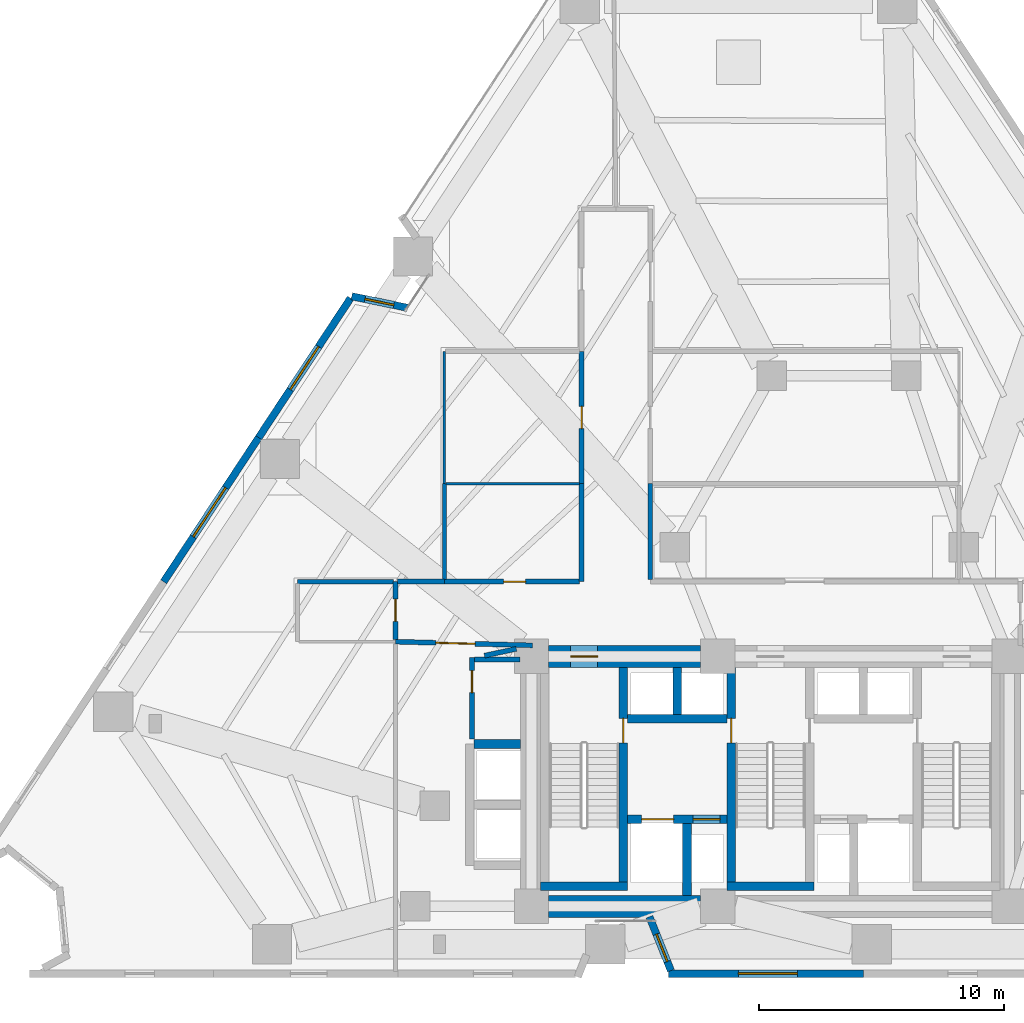
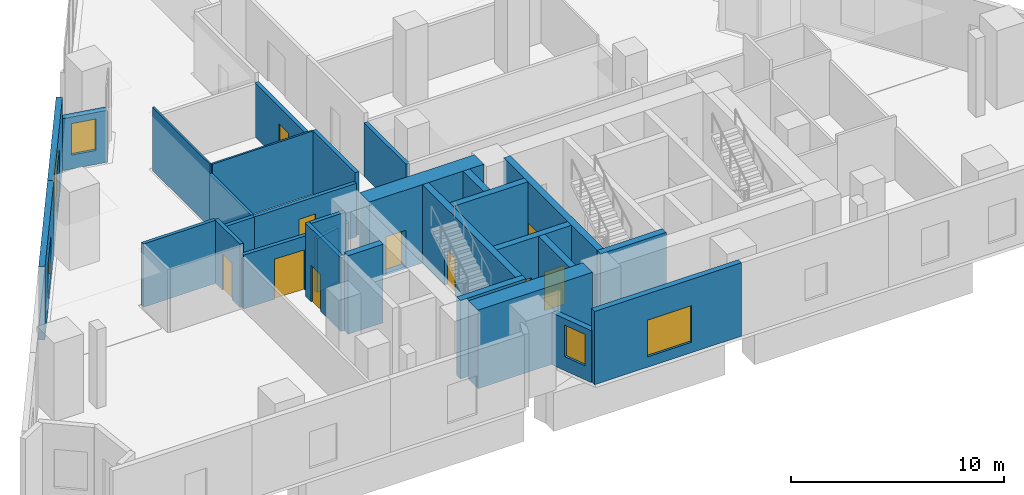
# One storey, part 8 of 15: 30 walls, 10 doors, 5 windows, 15 openings.
"""IFC4 building model written with IfcOpenShell, lengths in metres."""

from ifc_helpers import new_model, si_unit, direction, frame, frame_2d, origin, place, context, subcontext, project, spatial, rectangle, extrude, material, layer, layer_set, type_object, element, fill, save


model = new_model("IFC4")

# Units and contexts
model_context = context("Model", 3, precision=1e-05, world=origin(), true_north=direction((0.0, 1.0)))
body_context = subcontext(model_context, "Body", "Model", "MODEL_VIEW")
ifc_project = project(units=[si_unit("LENGTHUNIT", "METRE"), si_unit("AREAUNIT", "SQUARE_METRE"), si_unit("VOLUMEUNIT", "CUBIC_METRE"), si_unit("PLANEANGLEUNIT", "RADIAN"), si_unit("MASSUNIT", "GRAM", prefix="KILO")], contexts=[model_context])

# Site, building, storey
site_placement = place(None, origin())
site = spatial("IfcSite", under=ifc_project, at=site_placement, CompositionType="ELEMENT")
building_placement = place(site_placement, origin())
building = spatial("IfcBuilding", under=site, at=building_placement, Name="Almagre Mirador Tower", CompositionType="ELEMENT")
storey_placement = place(building_placement, frame((0.0, 0.0, 8.39990234375)))
storey = spatial("IfcBuildingStorey", under=building, at=storey_placement, Name="L01", CompositionType="ELEMENT", Elevation=8.39990234375)

# Wall, opening, window
ifc_material_1 = material(Name="Precast concrete C50/60", Category="concrete")
ifc_layer_1 = layer(ifc_material_1, 0.300048828125)
ifc_layer_set_1 = layer_set([ifc_layer_1], Name="Precast concrete C50/60")
wall_type_1 = type_object("IfcWallType", Name="WAL-EXT-300", PredefinedType="SOLIDWALL", material=ifc_layer_set_1)
wall_1_placement = place(storey_placement, frame((20.217041015625, 29.447021484375, 0.0), z_axis=(0.0, 0.0, 1.0), x_axis=(0.97924381364, -0.202685849154, 0.0)))
wall_1 = element("IfcWall", 1, at=wall_1_placement, inside=storey, type_object=wall_type_1, Name="L01 expressed almagre precast frame wall 01", PredefinedType="SOLIDWALL", context=body_context, shape_type="SweptSolid", body=[
    extrude(rectangle(XDim=2.31396484375, YDim=0.300048828125, at=frame_2d((1.156982421875, 0.0))), origin(), (0.0, 0.0, 1.0), 2.97509765625),
])
opening_1_placement = place(wall_1_placement, frame((0.550048828125, 0.0, 0.800048828125)))
opening_1 = element("IfcOpeningElement", 2, at=opening_1_placement, cuts=wall_1, Name="Opening WN-04", PredefinedType="OPENING", context=body_context, shape_type="SweptSolid", body=[
    extrude(rectangle(XDim=1.199951171875, YDim=1.800048828125, at=frame_2d((0.60009765625, 0.89990234375))), frame((0.0, 0.159902, 0.0), z_axis=(0.0, -1.0, 0.0), x_axis=(1.0, 0.0, 0.0)), (0.0, 0.0, 1.0), 0.320049),
])
ifc_material_2 = material(Name="Dark solar-control laminated hurricane glass", Category="glass")
window_type_1 = type_object("IfcWindowType", Name="WIN-1200X1800", PartitioningType="SINGLE_PANEL", PredefinedType="WINDOW", material=ifc_material_2)
window_1_placement = place(opening_1_placement, origin())
window_1 = element("IfcWindow", 3, at=window_1_placement, inside=storey, type_object=window_type_1, Name="L01 recessed hurricane window L01-CAFE-6", OverallHeight=1.800048828125, OverallWidth=1.199951171875, PartitioningType="SINGLE_PANEL", PredefinedType="WINDOW", context=body_context, shape_type="SweptSolid", body=[
    extrude(rectangle(XDim=1.199951171875, YDim=1.800048828125, at=frame_2d((0.60009765625, 0.89990234375))), frame((0.0, 0.030029296875, 0.0), z_axis=(0.0, -1.0, 0.0), x_axis=(1.0, 0.0, 0.0)), (0.0, 0.0, 1.0), 0.06005859375),
])
fill(opening_1, window_1)

wall_2_placement = place(storey_placement, frame((41.09912109375, 1.800048828125, 0.0), z_axis=(0.0, 0.0, 1.0), x_axis=(-1.0, 0.0, 0.0)))
wall_2 = element("IfcWall", 4, at=wall_2_placement, inside=storey, type_object=wall_type_1, Name="L01 expressed almagre precast frame wall 23", PredefinedType="SOLIDWALL", context=body_context, shape_type="SweptSolid", body=[
    extrude(rectangle(XDim=7.947021484375, YDim=0.300048828125, at=frame_2d((3.9736328125, 0.0))), origin(), (0.0, 0.0, 1.0), 4.2001953125),
])
opening_2_placement = place(wall_2_placement, frame((2.699951171875, 0.0, 0.60009765625)))
opening_2 = element("IfcOpeningElement", 5, at=opening_2_placement, cuts=wall_2, Name="Opening WN-02", PredefinedType="OPENING", context=body_context, shape_type="SweptSolid", body=[
    extrude(rectangle(XDim=2.39990234375, YDim=2.10009765625, at=frame_2d((1.199951171875, 1.050048828125))), frame((0.0, 0.159902, 0.0), z_axis=(0.0, -1.0, 0.0), x_axis=(1.0, 0.0, 0.0)), (0.0, 0.0, 1.0), 0.320049),
])
ifc_material_3 = material(Name="Dark solar-control laminated hurricane glass", Category="glass")
window_type_2 = type_object("IfcWindowType", Name="WIN-2400X2100", PartitioningType="TRIPLE_PANEL_VERTICAL", PredefinedType="WINDOW", material=ifc_material_3)
window_2_placement = place(opening_2_placement, origin())
window_2 = element("IfcWindow", 6, at=window_2_placement, inside=storey, type_object=window_type_2, Name="L01 recessed hurricane window L01-BKS-1", OverallHeight=2.10009765625, OverallWidth=2.39990234375, PartitioningType="SINGLE_PANEL", PredefinedType="WINDOW", context=body_context, shape_type="SweptSolid", body=[
    extrude(rectangle(XDim=2.39990234375, YDim=2.10009765625, at=frame_2d((1.199951171875, 1.050048828125))), frame((0.0, 0.030029296875, 0.0), z_axis=(0.0, -1.0, 0.0), x_axis=(1.0, 0.0, 0.0)), (0.0, 0.0, 1.0), 0.06005859375),
])
fill(opening_2, window_2)

wall_3_placement = place(storey_placement, frame((33.2421875, 1.92529296875, 0.0), z_axis=(0.0, 0.0, 1.0), x_axis=(-0.36946923074, 0.92924296475, 0.0)))
wall_3 = element("IfcWall", 7, at=wall_3_placement, inside=storey, type_object=wall_type_1, Name="L01 expressed almagre precast frame wall 24", PredefinedType="SOLIDWALL", context=body_context, shape_type="SweptSolid", body=[
    extrude(rectangle(XDim=2.366943359375, YDim=0.300048828125, at=frame_2d((1.18359375, 0.0))), origin(), (0.0, 0.0, 1.0), 2.97509765625),
])
opening_3_placement = place(wall_3_placement, frame((0.39990234375, 0.0, 0.800048828125)))
opening_3 = element("IfcOpeningElement", 8, at=opening_3_placement, cuts=wall_3, Name="Opening WN-04", PredefinedType="OPENING", context=body_context, shape_type="SweptSolid", body=[
    extrude(rectangle(XDim=1.199951171875, YDim=1.800048828125, at=frame_2d((0.60009765625, 0.89990234375))), frame((0.0, 0.159902, 0.0), z_axis=(0.0, -1.0, 0.0), x_axis=(1.0, 0.0, 0.0)), (0.0, 0.0, 1.0), 0.320049),
])
window_3_placement = place(opening_3_placement, origin())
window_3 = element("IfcWindow", 9, at=window_3_placement, inside=storey, type_object=window_type_1, Name="L01 recessed hurricane window L01-BKS-1", OverallHeight=1.800048828125, OverallWidth=1.199951171875, PartitioningType="SINGLE_PANEL", PredefinedType="WINDOW", context=body_context, shape_type="SweptSolid", body=[
    extrude(rectangle(XDim=1.199951171875, YDim=1.800048828125, at=frame_2d((0.60009765625, 0.89990234375))), frame((0.0, 0.030029296875, 0.0), z_axis=(0.0, -1.0, 0.0), x_axis=(1.0, 0.0, 0.0)), (0.0, 0.0, 1.0), 0.06005859375),
])
fill(opening_3, window_3)

wall_4_placement = place(storey_placement, frame((12.5390625, 17.79443359375, 0.0), z_axis=(0.0, 0.0, 1.0), x_axis=(0.550199186231, 0.83503344572, 0.0)))
wall_4 = element("IfcWall", 10, at=wall_4_placement, inside=storey, type_object=wall_type_1, Name="L01 expressed almagre precast frame wall 35", PredefinedType="SOLIDWALL", context=body_context, shape_type="SweptSolid", body=[
    extrude(rectangle(XDim=7.04736328125, YDim=0.300048828125, at=frame_2d((3.523681640625, 0.0))), origin(), (0.0, 0.0, 1.0), 4.2001953125),
])
opening_4_placement = place(wall_4_placement, frame((2.199951171875, 0.0, 0.60009765625)))
opening_4 = element("IfcOpeningElement", 11, at=opening_4_placement, cuts=wall_4, Name="Opening WN-02", PredefinedType="OPENING", context=body_context, shape_type="SweptSolid", body=[
    extrude(rectangle(XDim=2.39990234375, YDim=2.10009765625, at=frame_2d((1.199951171875, 1.050048828125))), frame((0.0, 0.159902, 0.0), z_axis=(0.0, -1.0, 0.0), x_axis=(1.0, 0.0, 0.0)), (0.0, 0.0, 1.0), 0.320049),
])
window_4_placement = place(opening_4_placement, origin())
window_4 = element("IfcWindow", 12, at=window_4_placement, inside=storey, type_object=window_type_2, Name="L01 recessed hurricane window L01-CAFE-6", OverallHeight=2.10009765625, OverallWidth=2.39990234375, PartitioningType="SINGLE_PANEL", PredefinedType="WINDOW", context=body_context, shape_type="SweptSolid", body=[
    extrude(rectangle(XDim=2.39990234375, YDim=2.10009765625, at=frame_2d((1.199951171875, 1.050048828125))), frame((0.0, 0.030029296875, 0.0), z_axis=(0.0, -1.0, 0.0), x_axis=(1.0, 0.0, 0.0)), (0.0, 0.0, 1.0), 0.06005859375),
])
fill(opening_4, window_4)

wall_5_placement = place(storey_placement, frame((16.41650390625, 23.67919921875, 0.0), z_axis=(0.0, 0.0, 1.0), x_axis=(0.550212925126, 0.835024393072, 0.0)))
wall_5 = element("IfcWall", 13, at=wall_5_placement, inside=storey, type_object=wall_type_1, Name="L01 expressed almagre precast frame wall 36", PredefinedType="SOLIDWALL", context=body_context, shape_type="SweptSolid", body=[
    extrude(rectangle(XDim=6.8173828125, YDim=0.300048828125, at=frame_2d((3.40869140625, 0.0))), origin(), (0.0, 0.0, 1.0), 4.2001953125),
])
opening_5_placement = place(wall_5_placement, frame((2.35009765625, 0.0, 0.550048828125)))
opening_5 = element("IfcOpeningElement", 14, at=opening_5_placement, cuts=wall_5, Name="Opening WN-05", PredefinedType="OPENING", context=body_context, shape_type="SweptSolid", body=[
    extrude(rectangle(XDim=2.10009765625, YDim=2.39990234375, at=frame_2d((1.050048828125, 1.199951171875))), frame((0.0, 0.159902, 0.0), z_axis=(0.0, -1.0, 0.0), x_axis=(1.0, 0.0, 0.0)), (0.0, 0.0, 1.0), 0.320049),
])
ifc_material_4 = material(Name="Dark solar-control laminated hurricane glass", Category="glass")
window_type_3 = type_object("IfcWindowType", Name="WIN-2100X2400", PartitioningType="DOUBLE_PANEL_VERTICAL", PredefinedType="WINDOW", material=ifc_material_4)
window_5_placement = place(opening_5_placement, origin())
window_5 = element("IfcWindow", 15, at=window_5_placement, inside=storey, type_object=window_type_3, Name="L01 recessed hurricane window L01-CAFE-6", OverallHeight=2.39990234375, OverallWidth=2.10009765625, PartitioningType="SINGLE_PANEL", PredefinedType="WINDOW", context=body_context, shape_type="SweptSolid", body=[
    extrude(rectangle(XDim=2.10009765625, YDim=2.39990234375, at=frame_2d((1.050048828125, 1.199951171875))), frame((0.0, 0.030029296875, 0.0), z_axis=(0.0, -1.0, 0.0), x_axis=(1.0, 0.0, 0.0)), (0.0, 0.0, 1.0), 0.06005859375),
])
fill(opening_5, window_5)

# Walls
ifc_material_5 = material(Name="Gypsum acoustic stud partition", Category="other")
ifc_layer_2 = layer(ifc_material_5, 0.10009765625)
ifc_layer_set_2 = layer_set([ifc_layer_2], Name="Gypsum acoustic stud partition")
wall_type_2 = type_object("IfcWallType", Name="WAL-PRT-100-CLS", PredefinedType="PARTITIONING", material=ifc_layer_set_2)
wall_6_placement = place(storey_placement, frame((24.0, 21.800048828125, 0.0), z_axis=(0.0, 0.0, 1.0), x_axis=(0.0, 1.0, 0.0)))
element("IfcWall", 16, at=wall_6_placement, inside=storey, type_object=wall_type_2, Name="L01 interior partition 032", PredefinedType="PARTITIONING", context=body_context, shape_type="SweptSolid", body=[
    extrude(rectangle(XDim=5.39990234375, YDim=0.10009765625, at=frame_2d((2.699951171875, 0.0))), origin(), (0.0, 0.0, 1.0), 3.62109375),
])
wall_7_placement = place(storey_placement, frame((29.514892578125, 21.800048828125, 0.0), z_axis=(0.0, 0.0, 1.0), x_axis=(-1.0, 0.0, 0.0)))
element("IfcWall", 17, at=wall_7_placement, inside=storey, type_object=wall_type_2, Name="L01 interior partition 035", PredefinedType="PARTITIONING", context=body_context, shape_type="SweptSolid", body=[
    extrude(rectangle(XDim=5.454833984375, YDim=0.10009765625, at=frame_2d((2.7275390625, 0.0))), origin(), (0.0, 0.0, 1.0), 3.62109375),
])
ifc_material_6 = material(Name="Gypsum acoustic stud partition", Category="other")
ifc_layer_3 = layer(ifc_material_6, 0.14990234375)
ifc_layer_set_3 = layer_set([ifc_layer_3], Name="Gypsum acoustic stud partition")
wall_type_3 = type_object("IfcWallType", Name="WAL-PRT-150-STD", PredefinedType="PARTITIONING", material=ifc_layer_set_3)
wall_8_placement = place(storey_placement, frame((24.0, 17.885009765625, 0.0), z_axis=(0.0, 0.0, 1.0), x_axis=(0.0, 1.0, 0.0)))
element("IfcWall", 18, at=wall_8_placement, inside=storey, type_object=wall_type_3, Name="L01 interior partition 031", PredefinedType="PARTITIONING", context=body_context, shape_type="SweptSolid", body=[
    extrude(rectangle(XDim=3.9150390625, YDim=0.14990234375, at=frame_2d((1.95751953125, 0.0))), origin(), (0.0, 0.0, 1.0), 3.078125),
])
ifc_material_7 = material(Name="Gypsum acoustic stud partition", Category="other")
ifc_layer_4 = layer(ifc_material_7, 0.175048828125)
ifc_layer_set_4 = layer_set([ifc_layer_4], Name="Gypsum acoustic stud partition")
wall_type_4 = type_object("IfcWallType", Name="WAL-PRT-175-AC", PredefinedType="PARTITIONING", material=ifc_layer_set_4)
wall_9_placement = place(storey_placement, frame((21.9150390625, 17.800048828125, 0.0), z_axis=(0.0, 0.0, 1.0), x_axis=(-1.0, 0.0, 0.0)))
element("IfcWall", 19, at=wall_9_placement, inside=storey, type_object=wall_type_4, Name="L01 interior partition 024", PredefinedType="PARTITIONING", context=body_context, shape_type="SweptSolid", body=[
    extrude(rectangle(XDim=3.9150390625, YDim=0.175048828125, at=frame_2d((1.95751953125, 0.0))), origin(), (0.0, 0.0, 1.0), 3.62109375),
])

# Wall, opening, door
ifc_material_8 = material(Name="Gypsum acoustic stud partition", Category="other")
ifc_layer_5 = layer(ifc_material_8, 0.199951171875)
ifc_layer_set_5 = layer_set([ifc_layer_5], Name="Gypsum acoustic stud partition")
wall_type_5 = type_object("IfcWallType", Name="WAL-PRT-200-EI60", PredefinedType="PARTITIONING", material=ifc_layer_set_5)
wall_10_placement = place(storey_placement, frame((25.1201171875, 11.3701171875, 0.0), z_axis=(0.0, 0.0, 1.0), x_axis=(0.0, 1.0, 0.0)))
wall_10 = element("IfcWall", 20, at=wall_10_placement, inside=storey, type_object=wall_type_5, Name="L01 core ancillary west wall", PredefinedType="PARTITIONING", context=body_context, shape_type="SweptSolid", body=[
    extrude(rectangle(XDim=3.33984375, YDim=0.199951171875, at=frame_2d((1.669921875, 0.0))), origin(), (0.0, 0.0, 1.0), 4.2001953125),
])
opening_6_placement = place(wall_10_placement, frame((1.89990234375, 0.0, 0.0)))
opening_6 = element("IfcOpeningElement", 21, at=opening_6_placement, cuts=wall_10, Name="Opening ID-03", PredefinedType="OPENING", context=body_context, shape_type="SweptSolid", body=[
    extrude(rectangle(XDim=0.89990234375, YDim=2.10009765625, at=frame_2d((0.449951171875, 1.050048828125))), frame((0.0, 0.110098, 0.0), z_axis=(0.0, -1.0, 0.0), x_axis=(1.0, 0.0, 0.0)), (0.0, 0.0, 1.0), 0.219951),
])
ifc_material_9 = material(Name="Fire-rated hollow steel", Category="steel")
door_type_1 = type_object("IfcDoorType", Name="DOR-FD60-900X2100", OperationType="NOTDEFINED", PredefinedType="DOOR", material=ifc_material_9)
door_1_placement = place(opening_6_placement, origin())
door_1 = element("IfcDoor", 22, at=door_1_placement, inside=storey, type_object=door_type_1, Name="DR-0073 L01 core ancillary corridor door", OperationType="SINGLE_SWING_LEFT", OverallHeight=2.10009765625, OverallWidth=0.89990234375, PredefinedType="DOOR", context=body_context, shape_type="SweptSolid", body=[
    extrude(rectangle(XDim=0.89990234375, YDim=2.10009765625, at=frame_2d((0.449951171875, 1.050048828125))), frame((0.0, 0.02490234375, 0.0), z_axis=(0.0, -1.0, 0.0), x_axis=(1.0, 0.0, 0.0)), (0.0, 0.0, 1.0), 0.050048828125),
])
fill(opening_6, door_1)

# Wall
wall_11_placement = place(storey_placement, frame((25.22509765625, 14.6201171875, 0.0), z_axis=(0.0, 0.0, 1.0), x_axis=(1.0, 0.0, 0.0)))
element("IfcWall", 23, at=wall_11_placement, inside=storey, type_object=wall_type_5, Name="L01 core ancillary north wall", PredefinedType="PARTITIONING", context=body_context, shape_type="SweptSolid", body=[
    extrude(rectangle(XDim=1.85986328125, YDim=0.199951171875, at=frame_2d((0.929931640625, 0.0))), origin(), (0.0, 0.0, 1.0), 4.2001953125),
])

# Wall, opening, door
wall_12_placement = place(storey_placement, frame((22.0, 15.35009765625, 0.0), z_axis=(0.0, 0.0, 1.0), x_axis=(0.999640767954, -0.02680177314, 0.0)))
wall_12 = element("IfcWall", 24, at=wall_12_placement, inside=storey, type_object=wall_type_5, Name="L01 interior partition 001", PredefinedType="PARTITIONING", context=body_context, shape_type="SweptSolid", body=[
    extrude(rectangle(XDim=5.60205078125, YDim=0.199951171875, at=frame_2d((2.801025390625, 0.0))), origin(), (0.0, 0.0, 1.0), 3.078125),
])
opening_7_placement = place(wall_12_placement, frame((1.652099609375, 0.0, 0.0)))
opening_7 = element("IfcOpeningElement", 25, at=opening_7_placement, cuts=wall_12, Name="Opening ID-05", PredefinedType="OPENING", context=body_context, shape_type="SweptSolid", body=[
    extrude(rectangle(XDim=1.60009765625, YDim=2.300048828125, at=frame_2d((0.800048828125, 1.14990234375))), frame((0.0, 0.110098, 0.0), z_axis=(0.0, -1.0, 0.0), x_axis=(1.0, 0.0, 0.0)), (0.0, 0.0, 1.0), 0.219951),
])
ifc_material_10 = material(Name="Fire-rated acoustic timber", Category="wood")
door_type_2 = type_object("IfcDoorType", Name="DOR-FD60-1600X2300", OperationType="DOUBLE_DOOR_SINGLE_SWING", PredefinedType="DOOR", material=ifc_material_10)
door_2_placement = place(opening_7_placement, origin())
door_2 = element("IfcDoor", 26, at=door_2_placement, inside=storey, type_object=door_type_2, Name="DR-0084 L01 interior door L01-COR to L01-GAL1-2", OperationType="DOUBLE_DOOR_SINGLE_SWING", OverallHeight=2.300048828125, OverallWidth=1.60009765625, PredefinedType="DOOR", context=body_context, shape_type="SweptSolid", body=[
    extrude(rectangle(XDim=1.60009765625, YDim=2.300048828125, at=frame_2d((0.800048828125, 1.14990234375))), frame((0.0, 0.02490234375, 0.0), z_axis=(0.0, -1.0, 0.0), x_axis=(1.0, 0.0, 0.0)), (0.0, 0.0, 1.0), 0.050048828125),
])
fill(opening_7, door_2)

wall_13_placement = place(storey_placement, frame((22.0, 17.800048828125, 0.0), z_axis=(0.0, 0.0, 1.0), x_axis=(0.0, -1.0, 0.0)))
wall_13 = element("IfcWall", 27, at=wall_13_placement, inside=storey, type_object=wall_type_5, Name="L01 interior partition 002", PredefinedType="PARTITIONING", context=body_context, shape_type="SweptSolid", body=[
    extrude(rectangle(XDim=2.364990234375, YDim=0.199951171875, at=frame_2d((1.1826171875, 0.0))), origin(), (0.0, 0.0, 1.0), 3.62109375),
])
opening_8_placement = place(wall_13_placement, frame((0.71728515625, 0.0, 0.0)))
opening_8 = element("IfcOpeningElement", 28, at=opening_8_placement, cuts=wall_13, Name="Opening ID-03", PredefinedType="OPENING", context=body_context, shape_type="SweptSolid", body=[
    extrude(rectangle(XDim=0.89990234375, YDim=2.10009765625, at=frame_2d((0.449951171875, 1.050048828125))), frame((0.0, 0.110098, 0.0), z_axis=(0.0, -1.0, 0.0), x_axis=(1.0, 0.0, 0.0)), (0.0, 0.0, 1.0), 0.219951),
])
door_3_placement = place(opening_8_placement, origin())
door_3 = element("IfcDoor", 29, at=door_3_placement, inside=storey, type_object=door_type_1, Name="DR-0078 L01 interior door L01-COR to L01-ARC-3", OperationType="SINGLE_SWING_RIGHT", OverallHeight=2.10009765625, OverallWidth=0.89990234375, PredefinedType="DOOR", context=body_context, shape_type="SweptSolid", body=[
    extrude(rectangle(XDim=0.89990234375, YDim=2.10009765625, at=frame_2d((0.449951171875, 1.050048828125))), frame((0.0, 0.02490234375, 0.0), z_axis=(0.0, -1.0, 0.0), x_axis=(1.0, 0.0, 0.0)), (0.0, 0.0, 1.0), 0.050048828125),
])
fill(opening_8, door_3)

# Walls
wall_14_placement = place(storey_placement, frame((24.0, 17.800048828125, 0.0), z_axis=(0.0, 0.0, 1.0), x_axis=(-1.0, 0.0, 0.0)))
element("IfcWall", 30, at=wall_14_placement, inside=storey, type_object=wall_type_5, Name="L01 interior partition 004", PredefinedType="PARTITIONING", context=body_context, shape_type="SweptSolid", body=[
    extrude(rectangle(XDim=1.9150390625, YDim=0.199951171875, at=frame_2d((0.95751953125, 0.0))), origin(), (0.0, 0.0, 1.0), 3.078125),
])
wall_15_placement = place(storey_placement, frame((29.60009765625, 21.800048828125, 0.0), z_axis=(0.0, 0.0, 1.0), x_axis=(0.0, -1.0, 0.0)))
element("IfcWall", 31, at=wall_15_placement, inside=storey, type_object=wall_type_5, Name="L01 interior partition 007", PredefinedType="PARTITIONING", context=body_context, shape_type="SweptSolid", body=[
    extrude(rectangle(XDim=4.0, YDim=0.199951171875, at=frame_2d((2.0, 0.0))), origin(), (0.0, 0.0, 1.0), 3.62109375),
])

# Wall, opening, door
wall_16_placement = place(storey_placement, frame((29.514892578125, 17.800048828125, 0.0), z_axis=(0.0, 0.0, 1.0), x_axis=(-1.0, 0.0, 0.0)))
wall_16 = element("IfcWall", 32, at=wall_16_placement, inside=storey, type_object=wall_type_5, Name="L01 interior partition 008", PredefinedType="PARTITIONING", context=body_context, shape_type="SweptSolid", body=[
    extrude(rectangle(XDim=5.514892578125, YDim=0.199951171875, at=frame_2d((2.75732421875, 0.0))), origin(), (0.0, 0.0, 1.0), 3.078125),
])
opening_9_placement = place(wall_16_placement, frame((2.205322265625, 0.0, 0.0)))
opening_9 = element("IfcOpeningElement", 33, at=opening_9_placement, cuts=wall_16, Name="Opening ID-03", PredefinedType="OPENING", context=body_context, shape_type="SweptSolid", body=[
    extrude(rectangle(XDim=0.89990234375, YDim=2.10009765625, at=frame_2d((0.449951171875, 1.050048828125))), frame((0.0, 0.110098, 0.0), z_axis=(0.0, -1.0, 0.0), x_axis=(1.0, 0.0, 0.0)), (0.0, 0.0, 1.0), 0.219951),
])
door_4_placement = place(opening_9_placement, origin())
door_4 = element("IfcDoor", 34, at=door_4_placement, inside=storey, type_object=door_type_1, Name="DR-0080 L01 interior door L01-COR to L01-BKS-7", OperationType="SINGLE_SWING_RIGHT", OverallHeight=2.10009765625, OverallWidth=0.89990234375, PredefinedType="DOOR", context=body_context, shape_type="SweptSolid", body=[
    extrude(rectangle(XDim=0.89990234375, YDim=2.10009765625, at=frame_2d((0.449951171875, 1.050048828125))), frame((0.0, 0.02490234375, 0.0), z_axis=(0.0, -1.0, 0.0), x_axis=(1.0, 0.0, 0.0)), (0.0, 0.0, 1.0), 0.050048828125),
])
fill(opening_9, door_4)

# Wall
wall_17_placement = place(storey_placement, frame((32.39990234375, 17.885009765625, 0.0), z_axis=(0.0, 0.0, 1.0), x_axis=(0.0, 1.0, 0.0)))
element("IfcWall", 35, at=wall_17_placement, inside=storey, type_object=wall_type_5, Name="L01 interior partition 010", PredefinedType="PARTITIONING", context=body_context, shape_type="SweptSolid", body=[
    extrude(rectangle(XDim=3.9150390625, YDim=0.199951171875, at=frame_2d((1.95751953125, 0.0))), origin(), (0.0, 0.0, 1.0), 3.078125),
])

# Wall, opening, door
wall_18_placement = place(storey_placement, frame((29.60009765625, 27.199951171875, 0.0), z_axis=(0.0, 0.0, 1.0), x_axis=(0.0, -1.0, 0.0)))
wall_18 = element("IfcWall", 36, at=wall_18_placement, inside=storey, type_object=wall_type_5, Name="L01 interior partition 011", PredefinedType="PARTITIONING", context=body_context, shape_type="SweptSolid", body=[
    extrude(rectangle(XDim=5.39990234375, YDim=0.199951171875, at=frame_2d((2.699951171875, 0.0))), origin(), (0.0, 0.0, 1.0), 3.078125),
])
opening_10_placement = place(wall_18_placement, frame((2.25, 0.0, 0.0)))
opening_10 = element("IfcOpeningElement", 37, at=opening_10_placement, cuts=wall_18, Name="Opening ID-03", PredefinedType="OPENING", context=body_context, shape_type="SweptSolid", body=[
    extrude(rectangle(XDim=0.89990234375, YDim=2.10009765625, at=frame_2d((0.449951171875, 1.050048828125))), frame((0.0, 0.110098, 0.0), z_axis=(0.0, -1.0, 0.0), x_axis=(1.0, 0.0, 0.0)), (0.0, 0.0, 1.0), 0.219951),
])
door_5_placement = place(opening_10_placement, origin())
door_5 = element("IfcDoor", 38, at=door_5_placement, inside=storey, type_object=door_type_1, Name="DR-0079 L01 interior door L01-COR to L01-ARC-9", OperationType="SINGLE_SWING_LEFT", OverallHeight=2.10009765625, OverallWidth=0.89990234375, PredefinedType="DOOR", context=body_context, shape_type="SweptSolid", body=[
    extrude(rectangle(XDim=0.89990234375, YDim=2.10009765625, at=frame_2d((0.449951171875, 1.050048828125))), frame((0.0, 0.02490234375, 0.0), z_axis=(0.0, -1.0, 0.0), x_axis=(1.0, 0.0, 0.0)), (0.0, 0.0, 1.0), 0.050048828125),
])
fill(opening_10, door_5)

# Wall
wall_19_placement = place(storey_placement, frame((25.633056640625, 14.780029296875, 0.0), z_axis=(0.0, 0.0, 1.0), x_axis=(0.977912383678, 0.20901523832, 0.0)))
element("IfcWall", 39, at=wall_19_placement, inside=storey, type_object=wall_type_5, Name="L01 interior partition 040", PredefinedType="PARTITIONING", context=body_context, shape_type="SweptSolid", body=[
    extrude(rectangle(XDim=1.330322265625, YDim=0.199951171875, at=frame_2d((0.6650390625, 0.0))), origin(), (0.0, 0.0, 1.0), 3.078125),
])

# Wall, opening, door
ifc_material_11 = material(Name="Concrete C60/75", Category="concrete")
ifc_layer_6 = layer(ifc_material_11, 0.35009765625)
ifc_layer_set_6 = layer_set([ifc_layer_6], Name="Concrete C60/75")
wall_type_6 = type_object("IfcWallType", Name="WAL-SHF-350", PredefinedType="SOLIDWALL", material=ifc_layer_set_6)
wall_20_placement = place(storey_placement, frame((31.300048828125, 5.199951171875, 0.0), z_axis=(0.0, 0.0, 1.0), x_axis=(0.0, 1.0, 0.0)))
wall_20 = element("IfcWall", 40, at=wall_20_placement, inside=storey, type_object=wall_type_6, Name="L01 shaft wall ST1-E", PredefinedType="SOLIDWALL", context=body_context, shape_type="SweptSolid", body=[
    extrude(rectangle(XDim=9.10009765625, YDim=0.35009765625, at=frame_2d((4.550048828125, 0.0))), origin(), (0.0, 0.0, 1.0), 4.5),
])
opening_11_placement = place(wall_20_placement, frame((6.02001953125, 0.0, 0.0)))
opening_11 = element("IfcOpeningElement", 41, at=opening_11_placement, cuts=wall_20, Name="Opening FD-01", PredefinedType="OPENING", context=body_context, shape_type="SweptSolid", body=[
    extrude(rectangle(XDim=1.0, YDim=2.14990234375, at=frame_2d((0.5, 1.074951171875))), frame((0.0, 0.185049, 0.0), z_axis=(0.0, -1.0, 0.0), x_axis=(1.0, 0.0, 0.0)), (0.0, 0.0, 1.0), 0.370098),
])
ifc_material_12 = material(Name="Fire-rated hollow steel", Category="steel")
door_type_3 = type_object("IfcDoorType", Name="DOR-FFL-1000X2150", OperationType="NOTDEFINED", PredefinedType="DOOR", material=ifc_material_12)
door_6_placement = place(opening_11_placement, origin())
door_6 = element("IfcDoor", 42, at=door_6_placement, inside=storey, type_object=door_type_3, Name="DR-0074 L01 FFL1-ST1 smokeproof door", OperationType="SINGLE_SWING_LEFT", OverallHeight=2.14990234375, OverallWidth=1.0, PredefinedType="DOOR", context=body_context, shape_type="SweptSolid", body=[
    extrude(rectangle(XDim=1.0, YDim=2.14990234375, at=frame_2d((0.5, 1.074951171875))), frame((0.0, 0.02490234375, 0.0), z_axis=(0.0, -1.0, 0.0), x_axis=(1.0, 0.0, 0.0)), (0.0, 0.0, 1.0), 0.050048828125),
])
fill(opening_11, door_6)

# Wall
wall_21_placement = place(storey_placement, frame((27.925048828125, 5.375, 0.0), z_axis=(0.0, 0.0, 1.0), x_axis=(1.0, 0.0, 0.0)))
element("IfcWall", 43, at=wall_21_placement, inside=storey, type_object=wall_type_6, Name="L01 shaft wall ST1-S", PredefinedType="SOLIDWALL", context=body_context, shape_type="SweptSolid", body=[
    extrude(rectangle(XDim=3.550048828125, YDim=0.35009765625, at=frame_2d((1.77490234375, 0.0))), origin(), (0.0, 0.0, 1.0), 4.5),
])

# Wall, opening, door
wall_22_placement = place(storey_placement, frame((35.699951171875, 5.199951171875, 0.0), z_axis=(0.0, 0.0, 1.0), x_axis=(0.0, 1.0, 0.0)))
wall_22 = element("IfcWall", 44, at=wall_22_placement, inside=storey, type_object=wall_type_6, Name="L01 shaft wall ST2-W", PredefinedType="SOLIDWALL", context=body_context, shape_type="SweptSolid", body=[
    extrude(rectangle(XDim=9.10009765625, YDim=0.35009765625, at=frame_2d((4.550048828125, 0.0))), origin(), (0.0, 0.0, 1.0), 4.5),
])
opening_12_placement = place(wall_22_placement, frame((6.02001953125, 0.0, 0.0)))
opening_12 = element("IfcOpeningElement", 45, at=opening_12_placement, cuts=wall_22, Name="Opening FD-01", PredefinedType="OPENING", context=body_context, shape_type="SweptSolid", body=[
    extrude(rectangle(XDim=1.0, YDim=2.14990234375, at=frame_2d((0.5, 1.074951171875))), frame((0.0, 0.185049, 0.0), z_axis=(0.0, -1.0, 0.0), x_axis=(1.0, 0.0, 0.0)), (0.0, 0.0, 1.0), 0.370098),
])
door_7_placement = place(opening_12_placement, origin())
door_7 = element("IfcDoor", 46, at=door_7_placement, inside=storey, type_object=door_type_3, Name="DR-0075 L01 FFL1-ST2 smokeproof door", OperationType="SINGLE_SWING_RIGHT", OverallHeight=2.14990234375, OverallWidth=1.0, PredefinedType="DOOR", context=body_context, shape_type="SweptSolid", body=[
    extrude(rectangle(XDim=1.0, YDim=2.14990234375, at=frame_2d((0.5, 1.074951171875))), frame((0.0, 0.02490234375, 0.0), z_axis=(0.0, -1.0, 0.0), x_axis=(1.0, 0.0, 0.0)), (0.0, 0.0, 1.0), 0.050048828125),
])
fill(opening_12, door_7)

# Wall
wall_23_placement = place(storey_placement, frame((35.52490234375, 5.375, 0.0), z_axis=(0.0, 0.0, 1.0), x_axis=(1.0, 0.0, 0.0)))
element("IfcWall", 47, at=wall_23_placement, inside=storey, type_object=wall_type_6, Name="L01 shaft wall ST2-S", PredefinedType="SOLIDWALL", context=body_context, shape_type="SweptSolid", body=[
    extrude(rectangle(XDim=3.550048828125, YDim=0.35009765625, at=frame_2d((1.77490234375, 0.0))), origin(), (0.0, 0.0, 1.0), 4.5),
])

# Wall, openings, doors
wall_24_placement = place(storey_placement, frame((31.47509765625, 8.10009765625, 0.0), z_axis=(0.0, 0.0, 1.0), x_axis=(1.0, 0.0, 0.0)))
wall_24 = element("IfcWall", 48, at=wall_24_placement, inside=storey, type_object=wall_type_6, Name="L01 shaft wall FSAE1-N", PredefinedType="SOLIDWALL", context=body_context, shape_type="SweptSolid", body=[
    extrude(rectangle(XDim=4.0498046875, YDim=0.35009765625, at=frame_2d((2.02490234375, 0.0))), origin(), (0.0, 0.0, 1.0), 4.5),
])
opening_13_placement = place(wall_24_placement, frame((0.574951171875, 0.0, 0.0)))
opening_13 = element("IfcOpeningElement", 49, at=opening_13_placement, cuts=wall_24, Name="Opening LD-03", PredefinedType="OPENING", context=body_context, shape_type="SweptSolid", body=[
    extrude(rectangle(XDim=1.300048828125, YDim=2.25, at=frame_2d((0.64990234375, 1.125))), frame((0.0, 0.185049, 0.0), z_axis=(0.0, -1.0, 0.0), x_axis=(1.0, 0.0, 0.0)), (0.0, 0.0, 1.0), 0.370098),
])
opening_14_placement = place(wall_24_placement, frame((2.675048828125, 0.0, 0.0)))
opening_14 = element("IfcOpeningElement", 50, at=opening_14_placement, cuts=wall_24, Name="Opening LD-01", PredefinedType="OPENING", context=body_context, shape_type="SweptSolid", body=[
    extrude(rectangle(XDim=1.10009765625, YDim=2.199951171875, at=frame_2d((0.550048828125, 1.10009765625))), frame((0.0, 0.185049, 0.0), z_axis=(0.0, -1.0, 0.0), x_axis=(1.0, 0.0, 0.0)), (0.0, 0.0, 1.0), 0.370098),
])
ifc_material_13 = material(Name="Hollow stainless steel", Category="steel")
door_type_4 = type_object("IfcDoorType", Name="DOR-LD-1100X2200", OperationType="DOUBLE_DOOR_SLIDING", PredefinedType="DOOR", material=ifc_material_13)
door_8_placement = place(opening_14_placement, origin())
door_8 = element("IfcDoor", 51, at=door_8_placement, inside=storey, type_object=door_type_4, Name="DR-0089 L01 PL-L1 lift landing door", OperationType="DOUBLE_DOOR_SLIDING", OverallHeight=2.199951171875, OverallWidth=1.10009765625, PredefinedType="DOOR", context=body_context, shape_type="SweptSolid", body=[
    extrude(rectangle(XDim=1.10009765625, YDim=2.199951171875, at=frame_2d((0.550048828125, 1.10009765625))), frame((0.0, 0.02490234375, 0.0), z_axis=(0.0, -1.0, 0.0), x_axis=(1.0, 0.0, 0.0)), (0.0, 0.0, 1.0), 0.050048828125),
])
fill(opening_14, door_8)
ifc_material_14 = material(Name="Hollow stainless steel", Category="steel")
door_type_5 = type_object("IfcDoorType", Name="DOR-LD-1300X2250", OperationType="DOUBLE_DOOR_SLIDING", PredefinedType="DOOR", material=ifc_material_14)
door_9_placement = place(opening_13_placement, origin())
door_9 = element("IfcDoor", 52, at=door_9_placement, inside=storey, type_object=door_type_5, Name="DR-0087 L01 FSAE-1 lift landing door", OperationType="DOUBLE_DOOR_SLIDING", OverallHeight=2.25, OverallWidth=1.300048828125, PredefinedType="DOOR", context=body_context, shape_type="SweptSolid", body=[
    extrude(rectangle(XDim=1.300048828125, YDim=2.25, at=frame_2d((0.64990234375, 1.125))), frame((0.0, 0.02490234375, 0.0), z_axis=(0.0, -1.0, 0.0), x_axis=(1.0, 0.0, 0.0)), (0.0, 0.0, 1.0), 0.050048828125),
])
fill(opening_13, door_9)

# Walls
wall_25_placement = place(storey_placement, frame((33.89990234375, 5.0, 0.0), z_axis=(0.0, 0.0, 1.0), x_axis=(0.0, 1.0, 0.0)))
element("IfcWall", 53, at=wall_25_placement, inside=storey, type_object=wall_type_6, Name="L01 shaft wall FSAE1-E", PredefinedType="SOLIDWALL", context=body_context, shape_type="SweptSolid", body=[
    extrude(rectangle(XDim=2.925048828125, YDim=0.35009765625, at=frame_2d((1.46240234375, 0.0))), origin(), (0.0, 0.0, 1.0), 4.5),
])
wall_26_placement = place(storey_placement, frame((31.47509765625, 12.199951171875, 0.0), z_axis=(0.0, 0.0, 1.0), x_axis=(1.0, 0.0, 0.0)))
element("IfcWall", 54, at=wall_26_placement, inside=storey, type_object=wall_type_6, Name="L01 shaft wall PLM-S", PredefinedType="SOLIDWALL", context=body_context, shape_type="SweptSolid", body=[
    extrude(rectangle(XDim=4.0498046875, YDim=0.35009765625, at=frame_2d((2.02490234375, 0.0))), origin(), (0.0, 0.0, 1.0), 4.5),
])
wall_27_placement = place(storey_placement, frame((33.5, 12.375, 0.0), z_axis=(0.0, 0.0, 1.0), x_axis=(0.0, 1.0, 0.0)))
element("IfcWall", 55, at=wall_27_placement, inside=storey, type_object=wall_type_6, Name="L01 shaft wall PLM-M", PredefinedType="SOLIDWALL", context=body_context, shape_type="SweptSolid", body=[
    extrude(rectangle(XDim=1.925048828125, YDim=0.35009765625, at=frame_2d((0.96240234375, 0.0))), origin(), (0.0, 0.0, 1.0), 4.5),
])
wall_28_placement = place(storey_placement, frame((25.199951171875, 11.175048828125, 0.0), z_axis=(0.0, 0.0, 1.0), x_axis=(1.0, 0.0, 0.0)))
element("IfcWall", 56, at=wall_28_placement, inside=storey, type_object=wall_type_6, Name="L01 shaft wall OL-N", PredefinedType="SOLIDWALL", context=body_context, shape_type="SweptSolid", body=[
    extrude(rectangle(XDim=1.900146484375, YDim=0.35009765625, at=frame_2d((0.9501953125, 0.0))), origin(), (0.0, 0.0, 1.0), 4.5),
])
ifc_material_15 = material(Name="Concrete C70/85", Category="concrete")
ifc_layer_7 = layer(ifc_material_15, 0.89990234375)
ifc_layer_set_7 = layer_set([ifc_layer_7], Name="Concrete C70/85")
wall_type_7 = type_object("IfcWallType", Name="WAL-SHR-900", PredefinedType="SHEAR", material=ifc_layer_set_7)
wall_29_placement = place(storey_placement, frame((28.25, 4.550048828125, 0.0), z_axis=(0.0, 0.0, 1.0), x_axis=(1.0, 0.0, 0.0)))
element("IfcWall", 57, at=wall_29_placement, inside=storey, type_object=wall_type_7, Name="L01 core shear wall S1", PredefinedType="SHEAR", context=body_context, shape_type="SweptSolid", body=[
    extrude(rectangle(XDim=6.199951171875, YDim=0.89990234375, at=frame_2d((3.10009765625, 0.0))), origin(), (0.0, 0.0, 1.0), 4.5),
])

# Wall, opening, door
wall_30_placement = place(storey_placement, frame((28.25, 14.75, 0.0), z_axis=(0.0, 0.0, 1.0), x_axis=(1.0, 0.0, 0.0)))
wall_30 = element("IfcWall", 58, at=wall_30_placement, inside=storey, type_object=wall_type_7, Name="L01 core shear wall N1", PredefinedType="SHEAR", context=body_context, shape_type="SweptSolid", body=[
    extrude(rectangle(XDim=6.199951171875, YDim=0.89990234375, at=frame_2d((3.10009765625, 0.0))), origin(), (0.0, 0.0, 1.0), 4.5),
])
opening_15_placement = place(wall_30_placement, frame((0.89990234375, 0.0, 0.0)))
opening_15 = element("IfcOpeningElement", 59, at=opening_15_placement, cuts=wall_30, Name="Opening SD-02", PredefinedType="OPENING", context=body_context, shape_type="SweptSolid", body=[
    extrude(rectangle(XDim=1.10009765625, YDim=2.199951171875, at=frame_2d((0.550048828125, 1.10009765625))), frame((0.0, 0.459951, 0.0), z_axis=(0.0, -1.0, 0.0), x_axis=(1.0, 0.0, 0.0)), (0.0, 0.0, 1.0), 0.919902),
])
ifc_material_16 = material(Name="Fire-rated hollow steel", Category="steel")
door_type_6 = type_object("IfcDoorType", Name="DOR-ST-1100X2200", OperationType="NOTDEFINED", PredefinedType="DOOR", material=ifc_material_16)
door_10_placement = place(opening_15_placement, origin())
door_10 = element("IfcDoor", 60, at=door_10_placement, inside=storey, type_object=door_type_6, Name="DR-0091 L01 protected exit stair ST-1 door", OperationType="SINGLE_SWING_RIGHT", OverallHeight=2.199951171875, OverallWidth=1.10009765625, PredefinedType="DOOR", context=body_context, shape_type="SweptSolid", body=[
    extrude(rectangle(XDim=1.10009765625, YDim=2.199951171875, at=frame_2d((0.550048828125, 1.10009765625))), frame((0.0, 0.02490234375, 0.0), z_axis=(0.0, -1.0, 0.0), x_axis=(1.0, 0.0, 0.0)), (0.0, 0.0, 1.0), 0.050048828125),
])
fill(opening_15, door_10)

save(model, "model.ifc")
